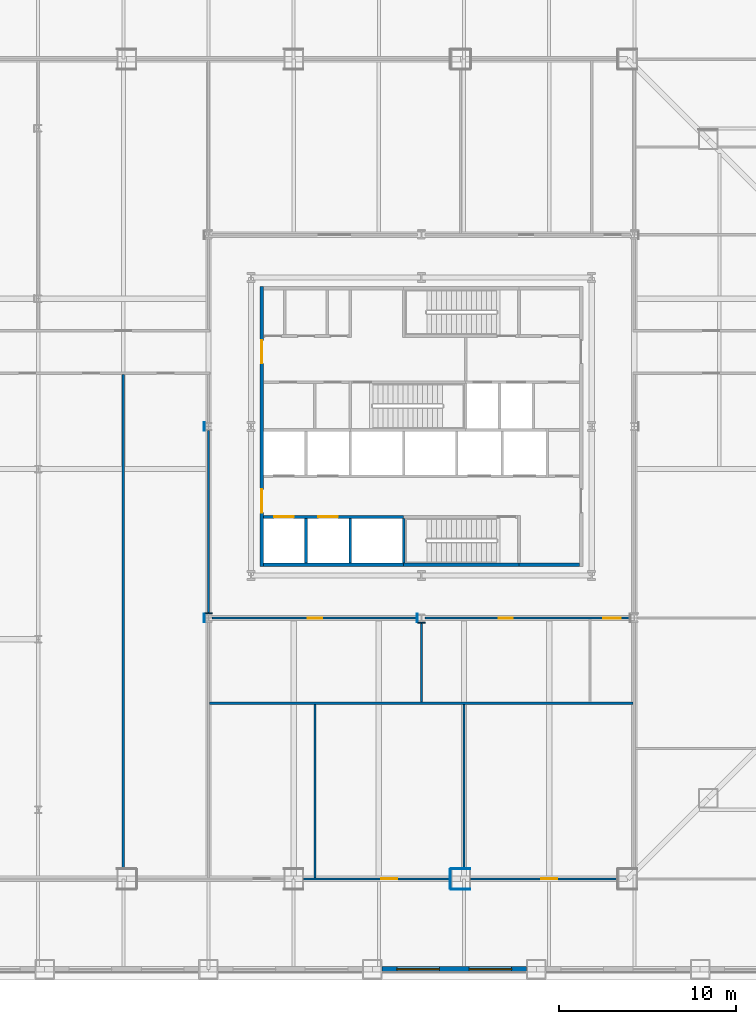
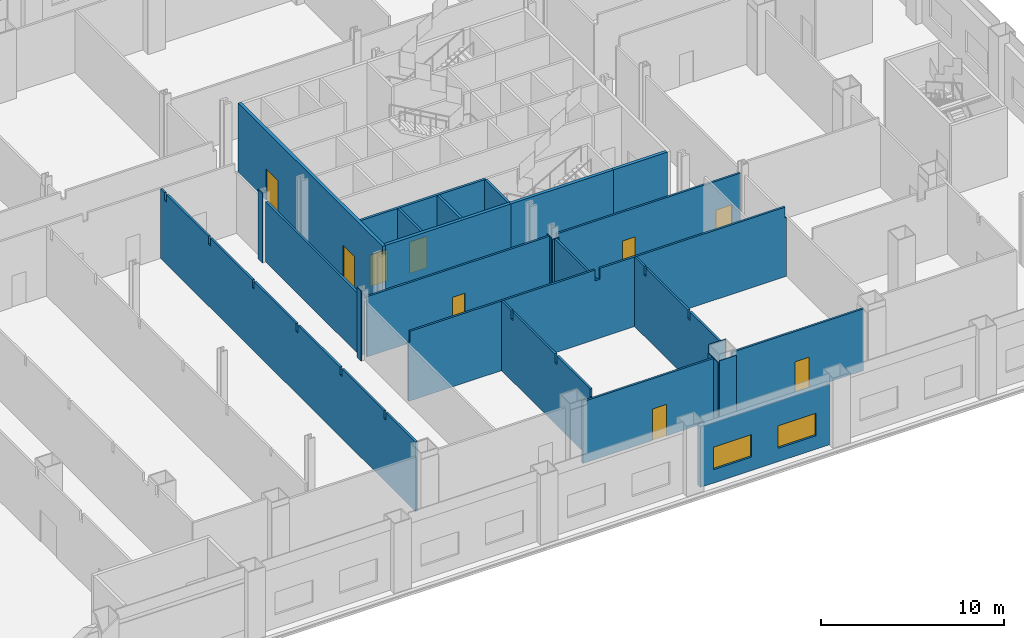
# One storey, part 10 of 22: 27 walls, 9 doors, 2 windows, 11 openings.
"""IFC4 building model written with IfcOpenShell, lengths in metres."""

from ifc_helpers import new_model, si_unit, direction, frame, frame_2d, origin, place, context, subcontext, project, spatial, polyline, rectangle, outline, extrude, material, layer, layer_set, type_object, element, fill, save


model = new_model("IFC4")

# Units and contexts
model_context = context("Model", 3, precision=1e-05, world=origin(), true_north=direction((0.0, 1.0)))
body_context = subcontext(model_context, "Body", "Model", "MODEL_VIEW")
ifc_project = project(units=[si_unit("LENGTHUNIT", "METRE"), si_unit("AREAUNIT", "SQUARE_METRE"), si_unit("VOLUMEUNIT", "CUBIC_METRE"), si_unit("PLANEANGLEUNIT", "RADIAN"), si_unit("MASSUNIT", "GRAM", prefix="KILO")], contexts=[model_context])

# Site, building, storey
site_placement = place(None, origin())
site = spatial("IfcSite", under=ifc_project, at=site_placement, CompositionType="ELEMENT")
building_placement = place(site_placement, origin())
building = spatial("IfcBuilding", under=site, at=building_placement, Name="Cairn Pilgrim Tower", CompositionType="ELEMENT")
storey_placement = place(building_placement, frame((0.0, 0.0, 35.39990234375)))
storey = spatial("IfcBuildingStorey", under=building, at=storey_placement, Name="L06", CompositionType="ELEMENT", Elevation=35.39990234375)

# Walls
ifc_material_1 = material(Name="Concrete C32/40", Category="concrete")
ifc_layer_1 = layer(ifc_material_1, 0.199951171875)
ifc_layer_set_1 = layer_set([ifc_layer_1], Name="CORE OUTER WALL 200 EI 120")
wall_type_1 = type_object("IfcWallType", Name="CORE OUTER WALL 200 EI 120", PredefinedType="SOLIDWALL", material=ifc_layer_set_1)
wall_1_placement = place(storey_placement, frame((-1.699951171875, -5.39990234375, 0.0), z_axis=(0.0, 0.0, 1.0), x_axis=(1.0, 0.0, 0.0)))
element("IfcWall", 1, at=wall_1_placement, inside=storey, type_object=wall_type_1, Name="CW:L06:H01-1", PredefinedType="SOLIDWALL", context=body_context, shape_type="SweptSolid", body=[
    extrude(rectangle(XDim=7.89990234375, YDim=0.199951171875, at=frame_2d((3.949951171875, 0.0))), origin(), (0.0, 0.0, 1.0), 4.650146484375),
])
wall_2_placement = place(storey_placement, frame((12.699951171875, -5.39990234375, 0.0), z_axis=(0.0, 0.0, 1.0), x_axis=(1.0, 0.0, 0.0)))
element("IfcWall", 2, at=wall_2_placement, inside=storey, type_object=wall_type_1, Name="CW:L06:H01-3", PredefinedType="SOLIDWALL", context=body_context, shape_type="SweptSolid", body=[
    extrude(rectangle(XDim=3.400146484375, YDim=0.199951171875, at=frame_2d((1.7001953125, 0.0))), origin(), (0.0, 0.0, 1.0), 4.650146484375),
])

# Wall, openings, doors
wall_3_placement = place(storey_placement, frame((-1.800048828125, -5.5, 0.0), z_axis=(0.0, 0.0, 1.0), x_axis=(0.0, 1.0, 0.0)))
wall_3 = element("IfcWall", 3, at=wall_3_placement, inside=storey, type_object=wall_type_1, Name="CW:L06:V12", PredefinedType="SOLIDWALL", context=body_context, shape_type="SweptSolid", body=[
    extrude(rectangle(XDim=15.800048828125, YDim=0.199951171875, at=frame_2d((7.89990234375, 0.0))), origin(), (0.0, 0.0, 1.0), 4.650146484375),
])
opening_1_placement = place(wall_3_placement, frame((3.050048828125, 0.0, 0.0)))
opening_1 = element("IfcOpeningElement", 4, at=opening_1_placement, cuts=wall_3, Name="Opening CD-W1", PredefinedType="OPENING", context=body_context, shape_type="SweptSolid", body=[
    extrude(rectangle(XDim=1.300048828125, YDim=2.10009765625, at=frame_2d((0.64990234375, 1.050048828125))), frame((0.0, 0.10986328125, 0.0), z_axis=(0.0, -1.0, 0.0), x_axis=(1.0, 0.0, 0.0)), (0.0, 0.0, 1.0), 0.219970703125),
])
opening_2_placement = place(wall_3_placement, frame((11.449951171875, 0.0, 0.0)))
opening_2 = element("IfcOpeningElement", 5, at=opening_2_placement, cuts=wall_3, Name="Opening CD-W2", PredefinedType="OPENING", context=body_context, shape_type="SweptSolid", body=[
    extrude(rectangle(XDim=1.300048828125, YDim=2.10009765625, at=frame_2d((0.64990234375, 1.050048828125))), frame((0.0, 0.10986328125, 0.0), z_axis=(0.0, -1.0, 0.0), x_axis=(1.0, 0.0, 0.0)), (0.0, 0.0, 1.0), 0.219970703125),
])
ifc_material_2 = material(Name="Painted steel", Category="steel")
door_type_1 = type_object("IfcDoorType", Name="CORE LOBBY DOOR 1300x2100", OperationType="DOUBLE_DOOR_SINGLE_SWING", PredefinedType="DOOR", material=ifc_material_2)
door_1_placement = place(opening_1_placement, origin())
door_1 = element("IfcDoor", 6, at=door_1_placement, inside=storey, type_object=door_type_1, Name="CD-W1", OperationType="DOUBLE_DOOR_SINGLE_SWING", OverallHeight=2.10009765625, OverallWidth=1.300048828125, PredefinedType="DOOR", context=body_context, shape_type="SweptSolid", body=[
    extrude(rectangle(XDim=1.300048828125, YDim=2.10009765625, at=frame_2d((0.64990234375, 1.050048828125))), frame((0.0, 0.02490234375, 0.0), z_axis=(0.0, -1.0, 0.0), x_axis=(1.0, 0.0, 0.0)), (0.0, 0.0, 1.0), 0.050048828125),
])
fill(opening_1, door_1)
door_2_placement = place(opening_2_placement, origin())
door_2 = element("IfcDoor", 7, at=door_2_placement, inside=storey, type_object=door_type_1, Name="CD-W2", OperationType="DOUBLE_DOOR_SINGLE_SWING", OverallHeight=2.10009765625, OverallWidth=1.300048828125, PredefinedType="DOOR", context=body_context, shape_type="SweptSolid", body=[
    extrude(rectangle(XDim=1.300048828125, YDim=2.10009765625, at=frame_2d((0.64990234375, 1.050048828125))), frame((0.0, 0.02490234375, 0.0), z_axis=(0.0, -1.0, 0.0), x_axis=(1.0, 0.0, 0.0)), (0.0, 0.0, 1.0), 0.050048828125),
])
fill(opening_2, door_2)

ifc_layer_2 = layer(ifc_material_1, 0.14990234375)
ifc_layer_set_2 = layer_set([ifc_layer_2], Name="CORE SHAFT WALL 150 EI 120")
wall_type_2 = type_object("IfcWallType", Name="CORE SHAFT WALL 150 EI 120", PredefinedType="SOLIDWALL", material=ifc_layer_set_2)
wall_4_placement = place(storey_placement, frame((-1.699951171875, -2.699951171875, 0.0), z_axis=(0.0, 0.0, 1.0), x_axis=(1.0, 0.0, 0.0)))
wall_4 = element("IfcWall", 8, at=wall_4_placement, inside=storey, type_object=wall_type_2, Name="CW:L06:H02-1", PredefinedType="SOLIDWALL", context=body_context, shape_type="SweptSolid", body=[
    extrude(rectangle(XDim=7.89990234375, YDim=0.14990234375, at=frame_2d((3.949951171875, 0.0))), origin(), (0.0, 0.0, 1.0), 4.650146484375),
])
opening_3_placement = place(wall_4_placement, frame((0.60009765625, 0.0, 0.0)))
opening_3 = element("IfcOpeningElement", 9, at=opening_3_placement, cuts=wall_4, Name="Opening LD-LR1", PredefinedType="OPENING", context=body_context, shape_type="SweptSolid", body=[
    extrude(rectangle(XDim=1.10009765625, YDim=2.10009765625, at=frame_2d((0.550048828125, 1.050048828125))), frame((0.0, 0.0849609375, 0.0), z_axis=(0.0, -1.0, 0.0), x_axis=(1.0, 0.0, 0.0)), (0.0, 0.0, 1.0), 0.169921875),
])
opening_4_placement = place(wall_4_placement, frame((3.10009765625, 0.0, 0.0)))
opening_4 = element("IfcOpeningElement", 10, at=opening_4_placement, cuts=wall_4, Name="Opening LD-LR2", PredefinedType="OPENING", context=body_context, shape_type="SweptSolid", body=[
    extrude(rectangle(XDim=1.10009765625, YDim=2.10009765625, at=frame_2d((0.550048828125, 1.050048828125))), frame((0.0, 0.0849609375, 0.0), z_axis=(0.0, -1.0, 0.0), x_axis=(1.0, 0.0, 0.0)), (0.0, 0.0, 1.0), 0.169921875),
])
ifc_material_3 = material(Name="Stainless steel", Category="steel")
door_type_2 = type_object("IfcDoorType", Name="LIFT LANDING DOOR 1100x2100", OperationType="DOUBLE_DOOR_SLIDING", PredefinedType="DOOR", material=ifc_material_3)
door_3_placement = place(opening_3_placement, origin())
door_3 = element("IfcDoor", 11, at=door_3_placement, inside=storey, type_object=door_type_2, Name="LANDING DOOR LR1", OperationType="DOUBLE_DOOR_SLIDING", OverallHeight=2.10009765625, OverallWidth=1.10009765625, PredefinedType="DOOR", context=body_context, shape_type="SweptSolid", body=[
    extrude(rectangle(XDim=1.10009765625, YDim=2.10009765625, at=frame_2d((0.550048828125, 1.050048828125))), frame((0.0, 0.02490234375, 0.0), z_axis=(0.0, -1.0, 0.0), x_axis=(1.0, 0.0, 0.0)), (0.0, 0.0, 1.0), 0.050048828125),
])
fill(opening_3, door_3)
door_4_placement = place(opening_4_placement, origin())
door_4 = element("IfcDoor", 12, at=door_4_placement, inside=storey, type_object=door_type_2, Name="LANDING DOOR LR2", OperationType="DOUBLE_DOOR_SLIDING", OverallHeight=2.10009765625, OverallWidth=1.10009765625, PredefinedType="DOOR", context=body_context, shape_type="SweptSolid", body=[
    extrude(rectangle(XDim=1.10009765625, YDim=2.10009765625, at=frame_2d((0.550048828125, 1.050048828125))), frame((0.0, 0.02490234375, 0.0), z_axis=(0.0, -1.0, 0.0), x_axis=(1.0, 0.0, 0.0)), (0.0, 0.0, 1.0), 0.050048828125),
])
fill(opening_4, door_4)

# Walls
for number, where, z_axis, x_axis, name in (
    (13, (0.699951171875, -5.300048828125, 0.0), (0.0, 0.0, 1.0), (0.0, 1.0, 0.0), "CW:L06:V14"),
    (14, (3.199951171875, -5.300048828125, 0.0), (0.0, 0.0, 1.0), (0.0, 1.0, 0.0), "CW:L06:V18"),
):
    element("IfcWall", number, at=place(storey_placement, frame(where, z_axis=z_axis, x_axis=x_axis)), inside=storey, type_object=wall_type_2, Name=name, PredefinedType="SOLIDWALL", context=body_context, shape_type="SweptSolid", body=[
        extrude(rectangle(XDim=2.525146484375, YDim=0.14990234375, at=frame_2d((1.2626953125, 0.0))), origin(), (0.0, 0.0, 1.0), 4.650146484375),
    ])

# Wall, opening, door
ifc_material_4 = material(Name="Gypsum partition")
ifc_layer_3 = layer(ifc_material_4, 0.125)
ifc_layer_set_3 = layer_set([ifc_layer_3], Name="PARTITION 125 DRYWALL EI 60")
wall_type_3 = type_object("IfcWallType", Name="PARTITION 125 DRYWALL EI 60", PredefinedType="PARTITIONING", material=ifc_layer_set_3)
wall_5_placement = place(storey_placement, frame((0.550048828125, -23.10009765625, 0.0), z_axis=(0.0, 0.0, 1.0), x_axis=(1.0, 0.0, 0.0)))
wall_5 = element("IfcWall", 15, at=wall_5_placement, inside=storey, type_object=wall_type_3, Name="PARTITION W011", PredefinedType="PARTITIONING", context=body_context, shape_type="SweptSolid", body=[
    extrude(rectangle(XDim=8.3134765625, YDim=0.125, at=frame_2d((4.15673828125, 0.0))), origin(), (0.0, 0.0, 1.0), 4.130126953125),
])
opening_5_placement = place(wall_5_placement, frame((4.39990234375, 0.0, 0.0)))
opening_5 = element("IfcOpeningElement", 16, at=opening_5_placement, cuts=wall_5, Name="Opening 0615", PredefinedType="OPENING", context=body_context, shape_type="SweptSolid", body=[
    extrude(rectangle(XDim=0.89990234375, YDim=2.10009765625, at=frame_2d((0.449951171875, 1.050048828125))), frame((0.0, 0.072509765625, 0.0), z_axis=(0.0, -1.0, 0.0), x_axis=(1.0, 0.0, 0.0)), (0.0, 0.0, 1.0), 0.14501953125),
])
ifc_material_5 = material(Name="Timber door leaf", Category="wood")
door_type_3 = type_object("IfcDoorType", Name="SERVICE DOOR 900x2100 FD30S", OperationType="NOTDEFINED", PredefinedType="DOOR", material=ifc_material_5)
door_5_placement = place(opening_5_placement, frame((0.89990234375, 0.0, 0.0), z_axis=(0.0, 0.0, 1.0), x_axis=(-1.0, 0.0, 0.0)))
door_5 = element("IfcDoor", 17, at=door_5_placement, inside=storey, type_object=door_type_3, Name="DOOR 0615", OperationType="SINGLE_SWING_RIGHT", OverallHeight=2.10009765625, OverallWidth=0.89990234375, PredefinedType="DOOR", context=body_context, shape_type="SweptSolid", body=[
    extrude(rectangle(XDim=0.89990234375, YDim=2.10009765625, at=frame_2d((0.449951171875, 1.050048828125))), frame((0.0, 0.02490234375, 0.0), z_axis=(0.0, -1.0, 0.0), x_axis=(1.0, 0.0, 0.0)), (0.0, 0.0, 1.0), 0.050048828125),
])
fill(opening_5, door_5)

wall_6_placement = place(storey_placement, frame((9.963623046875, -23.10009765625, 0.0), z_axis=(0.0, 0.0, 1.0), x_axis=(1.0, 0.0, 0.0)))
wall_6 = element("IfcWall", 18, at=wall_6_placement, inside=storey, type_object=wall_type_3, Name="PARTITION W012", PredefinedType="PARTITIONING", context=body_context, shape_type="SweptSolid", body=[
    extrude(rectangle(XDim=8.3134765625, YDim=0.125, at=frame_2d((4.15673828125, 0.0))), origin(), (0.0, 0.0, 1.0), 4.130126953125),
])
opening_6_placement = place(wall_6_placement, frame((3.986328125, 0.0, 0.0)))
opening_6 = element("IfcOpeningElement", 19, at=opening_6_placement, cuts=wall_6, Name="Opening 0616", PredefinedType="OPENING", context=body_context, shape_type="SweptSolid", body=[
    extrude(rectangle(XDim=0.89990234375, YDim=2.10009765625, at=frame_2d((0.449951171875, 1.050048828125))), frame((0.0, 0.072509765625, 0.0), z_axis=(0.0, -1.0, 0.0), x_axis=(1.0, 0.0, 0.0)), (0.0, 0.0, 1.0), 0.14501953125),
])
door_type_4 = type_object("IfcDoorType", Name="ROOM DOOR 900x2100 FD30S", OperationType="NOTDEFINED", PredefinedType="DOOR", material=ifc_material_5)
door_6_placement = place(opening_6_placement, frame((0.89990234375, 0.0, 0.0), z_axis=(0.0, 0.0, 1.0), x_axis=(-1.0, 0.0, 0.0)))
door_6 = element("IfcDoor", 20, at=door_6_placement, inside=storey, type_object=door_type_4, Name="DOOR 0616", OperationType="SINGLE_SWING_RIGHT", OverallHeight=2.10009765625, OverallWidth=0.89990234375, PredefinedType="DOOR", context=body_context, shape_type="SweptSolid", body=[
    extrude(rectangle(XDim=0.89990234375, YDim=2.10009765625, at=frame_2d((0.449951171875, 1.050048828125))), frame((0.0, 0.02490234375, 0.0), z_axis=(0.0, -1.0, 0.0), x_axis=(1.0, 0.0, 0.0)), (0.0, 0.0, 1.0), 0.050048828125),
])
fill(opening_6, door_6)

# Walls
wall_7_placement = place(storey_placement, frame((1.199951171875, -23.03759765625, 0.0), z_axis=(0.0, 0.0, 1.0), x_axis=(0.0, 1.0, 0.0)))
element("IfcWall", 21, at=wall_7_placement, inside=storey, type_object=wall_type_3, Name="PARTITION W017", PredefinedType="PARTITIONING", context=body_context, shape_type="SweptSolid", body=[
    extrude(outline(polyline([(0.0, 0.0), (9.775146484375, 0.0), (9.77490234375, 4.650146484375), (8.742431640625, 4.650146484375), (8.740478515625, 4.080078125), (8.532470703125, 4.080078125), (8.530517578125, 4.650146484375), (3.9423828125, 4.650146484375), (3.9404296875, 4.080078125), (3.732421875, 4.080078125), (3.73046875, 4.650146484375), (0.08740234375, 4.650146484375), (0.08544921875, 4.130126953125), (0.0, 4.130126953125), (0.0, 0.0)])), frame((0.0, 0.0625, 0.0), z_axis=(0.0, -1.0, 0.0), x_axis=(1.0, 0.0, 0.0)), (0.0, 0.0, 1.0), 0.125),
])
wall_8_placement = place(storey_placement, frame((-9.60009765625, -22.550048828125, 0.0), z_axis=(0.0, 0.0, 1.0), x_axis=(0.0, 1.0, 0.0)))
element("IfcWall", 22, at=wall_8_placement, inside=storey, type_object=wall_type_3, Name="PARTITION W019", PredefinedType="PARTITIONING", context=body_context, shape_type="SweptSolid", body=[
    extrude(outline(polyline([(0.0, 0.0), (27.887451171875, 0.0), (27.887451171875, 4.650146484375), (27.449951171875, 4.650146484375), (27.447998046875, 4.130126953125), (27.25, 4.130126953125), (27.248046875, 4.650146484375), (22.64990234375, 4.650146484375), (22.64794921875, 4.130126953125), (22.449951171875, 4.130126953125), (22.447998046875, 4.650146484375), (17.85009765625, 4.650146484375), (17.847900390625, 4.130126953125), (17.64990234375, 4.130126953125), (17.64794921875, 4.650146484375), (13.050048828125, 4.650146484375), (13.048095703125, 4.130126953125), (12.85009765625, 4.130126953125), (12.847900390625, 4.650146484375), (8.25, 4.650146484375), (8.248046875, 4.130126953125), (8.050048828125, 4.130126953125), (8.048095703125, 4.650146484375), (3.449951171875, 4.650146484375), (3.447998046875, 4.130126953125), (3.25, 4.130126953125), (3.248046875, 4.650146484375), (0.0, 4.650146484375), (0.0, 0.0)])), frame((0.0, 0.0625, 0.0), z_axis=(0.0, -1.0, 0.0), x_axis=(1.0, 0.0, 0.0)), (0.0, 0.0, 1.0), 0.125),
])
wall_9_placement = place(storey_placement, frame((9.60009765625, -22.550048828125, 0.0), z_axis=(0.0, 0.0, 1.0), x_axis=(0.0, 1.0, 0.0)))
element("IfcWall", 23, at=wall_9_placement, inside=storey, type_object=wall_type_3, Name="PARTITION W020", PredefinedType="PARTITIONING", context=body_context, shape_type="SweptSolid", body=[
    extrude(outline(polyline([(0.0, 0.0), (9.28759765625, 0.0), (9.28759765625, 4.650146484375), (8.2548828125, 4.650146484375), (8.2529296875, 4.080078125), (8.044921875, 4.080078125), (8.04296875, 4.650146484375), (3.455078125, 4.650146484375), (3.452880859375, 4.080078125), (3.2451171875, 4.080078125), (3.242919921875, 4.650146484375), (0.0, 4.650146484375), (0.0, 0.0)])), frame((0.0, 0.0625, 0.0), z_axis=(0.0, -1.0, 0.0), x_axis=(1.0, 0.0, 0.0)), (0.0, 0.0, 1.0), 0.125),
])
wall_10_placement = place(storey_placement, frame((-4.737548828125, -13.199951171875, 0.0), z_axis=(0.0, 0.0, 1.0), x_axis=(1.0, 0.0, 0.0)))
element("IfcWall", 24, at=wall_10_placement, inside=storey, type_object=wall_type_3, Name="PARTITION W025", PredefinedType="PARTITIONING", context=body_context, shape_type="SweptSolid", body=[
    extrude(outline(polyline([(0.0, 0.0), (23.875, 0.0), (23.875, 3.93017578125), (23.78759765625, 3.93017578125), (23.785400390625, 4.650146484375), (12.08740234375, 4.650146484375), (12.08544921875, 3.93017578125), (11.78759765625, 3.93017578125), (11.785400390625, 4.650146484375), (0.08740234375, 4.650146484375), (0.08544921875, 3.93017578125), (0.0, 3.93017578125), (0.0, 0.0)])), frame((0.0, 0.0625, 0.0), z_axis=(0.0, -1.0, 0.0), x_axis=(1.0, 0.0, 0.0)), (0.0, 0.0, 1.0), 0.125),
])
wall_11_placement = place(storey_placement, frame((7.199951171875, -13.137451171875, 0.0), z_axis=(0.0, 0.0, 1.0), x_axis=(0.0, 1.0, 0.0)))
element("IfcWall", 25, at=wall_11_placement, inside=storey, type_object=wall_type_3, Name="PARTITION W026", PredefinedType="PARTITIONING", context=body_context, shape_type="SweptSolid", body=[
    extrude(rectangle(XDim=4.50048828125, YDim=0.125, at=frame_2d((2.250244140625, 0.0))), origin(), (0.0, 0.0, 1.0), 3.93017578125),
])

# Wall, opening, door
wall_12_placement = place(storey_placement, frame((-4.587890625, -8.39990234375, 0.0), z_axis=(0.0, 0.0, 1.0), x_axis=(1.0, 0.0, 0.0)))
wall_12 = element("IfcWall", 26, at=wall_12_placement, inside=storey, type_object=wall_type_3, Name="PARTITION W031", PredefinedType="PARTITIONING", context=body_context, shape_type="SweptSolid", body=[
    extrude(rectangle(XDim=11.575927734375, YDim=0.125, at=frame_2d((5.7880859375, 0.0))), origin(), (0.0, 0.0, 1.0), 4.030029296875),
])
opening_7_placement = place(wall_12_placement, frame((5.387939453125, 0.0, 0.0)))
opening_7 = element("IfcOpeningElement", 27, at=opening_7_placement, cuts=wall_12, Name="Opening 0611", PredefinedType="OPENING", context=body_context, shape_type="SweptSolid", body=[
    extrude(rectangle(XDim=0.800048828125, YDim=2.10009765625, at=frame_2d((0.39990234375, 1.050048828125))), frame((0.0, 0.072509765625, 0.0), z_axis=(0.0, -1.0, 0.0), x_axis=(1.0, 0.0, 0.0)), (0.0, 0.0, 1.0), 0.14501953125),
])
door_type_5 = type_object("IfcDoorType", Name="WC DOOR 800x2100 FD30S", OperationType="NOTDEFINED", PredefinedType="DOOR", material=ifc_material_5)
door_7_placement = place(opening_7_placement, origin())
door_7 = element("IfcDoor", 28, at=door_7_placement, inside=storey, type_object=door_type_5, Name="DOOR 0611", OperationType="SINGLE_SWING_RIGHT", OverallHeight=2.10009765625, OverallWidth=0.800048828125, PredefinedType="DOOR", context=body_context, shape_type="SweptSolid", body=[
    extrude(rectangle(XDim=0.800048828125, YDim=2.10009765625, at=frame_2d((0.39990234375, 1.050048828125))), frame((0.0, 0.02490234375, 0.0), z_axis=(0.0, -1.0, 0.0), x_axis=(1.0, 0.0, 0.0)), (0.0, 0.0, 1.0), 0.050048828125),
])
fill(opening_7, door_7)

# Wall, openings, doors
wall_13_placement = place(storey_placement, frame((7.412109375, -8.39990234375, 0.0), z_axis=(0.0, 0.0, 1.0), x_axis=(1.0, 0.0, 0.0)))
wall_13 = element("IfcWall", 29, at=wall_13_placement, inside=storey, type_object=wall_type_3, Name="PARTITION W032", PredefinedType="PARTITIONING", context=body_context, shape_type="SweptSolid", body=[
    extrude(rectangle(XDim=11.575927734375, YDim=0.125, at=frame_2d((5.7880859375, 0.0))), origin(), (0.0, 0.0, 1.0), 4.030029296875),
])
opening_8_placement = place(wall_13_placement, frame((4.137939453125, 0.0, 0.0)))
opening_8 = element("IfcOpeningElement", 30, at=opening_8_placement, cuts=wall_13, Name="Opening 0612", PredefinedType="OPENING", context=body_context, shape_type="SweptSolid", body=[
    extrude(rectangle(XDim=0.800048828125, YDim=2.10009765625, at=frame_2d((0.39990234375, 1.050048828125))), frame((0.0, 0.072509765625, 0.0), z_axis=(0.0, -1.0, 0.0), x_axis=(1.0, 0.0, 0.0)), (0.0, 0.0, 1.0), 0.14501953125),
])
opening_9_placement = place(wall_13_placement, frame((10.0380859375, 0.0, 0.0)))
opening_9 = element("IfcOpeningElement", 31, at=opening_9_placement, cuts=wall_13, Name="Opening 0613", PredefinedType="OPENING", context=body_context, shape_type="SweptSolid", body=[
    extrude(rectangle(XDim=1.0, YDim=2.10009765625, at=frame_2d((0.5, 1.050048828125))), frame((0.0, 0.072509765625, 0.0), z_axis=(0.0, -1.0, 0.0), x_axis=(1.0, 0.0, 0.0)), (0.0, 0.0, 1.0), 0.14501953125),
])
door_type_6 = type_object("IfcDoorType", Name="ACCESSIBLE DOOR 1000x2100 FD30S", OperationType="NOTDEFINED", PredefinedType="DOOR", material=ifc_material_5)
door_8_placement = place(opening_9_placement, origin())
door_8 = element("IfcDoor", 32, at=door_8_placement, inside=storey, type_object=door_type_6, Name="DOOR 0613", OperationType="SINGLE_SWING_LEFT", OverallHeight=2.10009765625, OverallWidth=1.0, PredefinedType="DOOR", context=body_context, shape_type="SweptSolid", body=[
    extrude(rectangle(XDim=1.0, YDim=2.10009765625, at=frame_2d((0.5, 1.050048828125))), frame((0.0, 0.02490234375, 0.0), z_axis=(0.0, -1.0, 0.0), x_axis=(1.0, 0.0, 0.0)), (0.0, 0.0, 1.0), 0.050048828125),
])
fill(opening_9, door_8)
door_9_placement = place(opening_8_placement, origin())
door_9 = element("IfcDoor", 33, at=door_9_placement, inside=storey, type_object=door_type_5, Name="DOOR 0612", OperationType="SINGLE_SWING_LEFT", OverallHeight=2.10009765625, OverallWidth=0.800048828125, PredefinedType="DOOR", context=body_context, shape_type="SweptSolid", body=[
    extrude(rectangle(XDim=0.800048828125, YDim=2.10009765625, at=frame_2d((0.39990234375, 1.050048828125))), frame((0.0, 0.02490234375, 0.0), z_axis=(0.0, -1.0, 0.0), x_axis=(1.0, 0.0, 0.0)), (0.0, 0.0, 1.0), 0.050048828125),
])
fill(opening_8, door_9)

# Walls
wall_14_placement = place(storey_placement, frame((-4.800048828125, -8.1630859375, 0.0), z_axis=(0.0, 0.0, 1.0), x_axis=(0.0, 1.0, 0.0)))
element("IfcWall", 34, at=wall_14_placement, inside=storey, type_object=wall_type_3, Name="PARTITION W034", PredefinedType="PARTITIONING", context=body_context, shape_type="SweptSolid", body=[
    extrude(rectangle(XDim=10.326171875, YDim=0.125, at=frame_2d((5.1630859375, 0.0))), origin(), (0.0, 0.0, 1.0), 4.030029296875),
])
ifc_layer_4 = layer(ifc_material_4, 0.050048828125)
ifc_layer_set_4 = layer_set([ifc_layer_4], Name="PARTITION 50 DRYWALL EI 60")
wall_type_4 = type_object("IfcWallType", Name="PARTITION 50 DRYWALL EI 60", PredefinedType="PARTITIONING", material=ifc_layer_set_4)
wall_15_placement = place(storey_placement, frame((8.863525390625, -22.52490234375, 0.0), z_axis=(0.0, 0.0, 1.0), x_axis=(1.0, 0.0, 0.0)))
element("IfcWall", 35, at=wall_15_placement, inside=storey, type_object=wall_type_4, Name="COLUMN CASING WC07", PredefinedType="PARTITIONING", context=body_context, shape_type="SweptSolid", body=[
    extrude(rectangle(XDim=1.10009765625, YDim=0.050048828125, at=frame_2d((0.550048828125, 0.0))), origin(), (0.0, 0.0, 1.0), 4.650146484375),
])
wall_16_placement = place(storey_placement, frame((8.863525390625, -23.675048828125, 0.0), z_axis=(0.0, 0.0, 1.0), x_axis=(1.0, 0.0, 0.0)))
element("IfcWall", 36, at=wall_16_placement, inside=storey, type_object=wall_type_4, Name="COLUMN CASING WC08", PredefinedType="PARTITIONING", context=body_context, shape_type="SweptSolid", body=[
    extrude(rectangle(XDim=1.10009765625, YDim=0.050048828125, at=frame_2d((0.550048828125, 0.0))), origin(), (0.0, 0.0, 1.0), 4.27001953125),
])
wall_17_placement = place(storey_placement, frame((-5.037109375, -8.636962890625, 0.0), z_axis=(0.0, 0.0, 1.0), x_axis=(0.0, 1.0, 0.0)))
element("IfcWall", 37, at=wall_17_placement, inside=storey, type_object=wall_type_4, Name="COLUMN CASING WC12", PredefinedType="PARTITIONING", context=body_context, shape_type="SweptSolid", body=[
    extrude(rectangle(XDim=0.473876953125, YDim=0.050048828125, at=frame_2d((0.23681640625, 0.0))), origin(), (0.0, 0.0, 1.0), 4.650146484375),
])
wall_18_placement = place(storey_placement, frame((8.838623046875, -23.64990234375, 0.0), z_axis=(0.0, 0.0, 1.0), x_axis=(0.0, 1.0, 0.0)))
element("IfcWall", 38, at=wall_18_placement, inside=storey, type_object=wall_type_4, Name="COLUMN CASING WC13", PredefinedType="PARTITIONING", context=body_context, shape_type="SweptSolid", body=[
    extrude(rectangle(XDim=1.099853515625, YDim=0.050048828125, at=frame_2d((0.5498046875, 0.0))), origin(), (0.0, 0.0, 1.0), 4.130126953125),
])
wall_19_placement = place(storey_placement, frame((6.962890625, -8.636962890625, 0.0), z_axis=(0.0, 0.0, 1.0), x_axis=(0.0, 1.0, 0.0)))
element("IfcWall", 39, at=wall_19_placement, inside=storey, type_object=wall_type_4, Name="COLUMN CASING WC22", PredefinedType="PARTITIONING", context=body_context, shape_type="SweptSolid", body=[
    extrude(rectangle(XDim=0.473876953125, YDim=0.050048828125, at=frame_2d((0.23681640625, 0.0))), origin(), (0.0, 0.0, 1.0), 4.030029296875),
])
wall_20_placement = place(storey_placement, frame((-5.037109375, 2.1630859375, 0.0), z_axis=(0.0, 0.0, 1.0), x_axis=(0.0, 1.0, 0.0)))
element("IfcWall", 40, at=wall_20_placement, inside=storey, type_object=wall_type_4, Name="COLUMN CASING WC23", PredefinedType="PARTITIONING", context=body_context, shape_type="SweptSolid", body=[
    extrude(rectangle(XDim=0.473876953125, YDim=0.050048828125, at=frame_2d((0.23681640625, 0.0))), origin(), (0.0, 0.0, 1.0), 4.650146484375),
])
wall_21_placement = place(storey_placement, frame((-5.011962890625, -8.137939453125, 0.0), z_axis=(0.0, 0.0, 1.0), x_axis=(1.0, 0.0, 0.0)))
element("IfcWall", 41, at=wall_21_placement, inside=storey, type_object=wall_type_4, Name="COLUMN CASING WC24", PredefinedType="PARTITIONING", context=body_context, shape_type="SweptSolid", body=[
    extrude(rectangle(XDim=0.424072265625, YDim=0.050048828125, at=frame_2d((0.2119140625, 0.0))), origin(), (0.0, 0.0, 1.0), 4.030029296875),
])
wall_22_placement = place(storey_placement, frame((6.988037109375, -8.662109375, 0.0), z_axis=(0.0, 0.0, 1.0), x_axis=(1.0, 0.0, 0.0)))
element("IfcWall", 42, at=wall_22_placement, inside=storey, type_object=wall_type_4, Name="COLUMN CASING WC25", PredefinedType="PARTITIONING", context=body_context, shape_type="SweptSolid", body=[
    extrude(rectangle(XDim=0.424072265625, YDim=0.050048828125, at=frame_2d((0.2119140625, 0.0))), origin(), (0.0, 0.0, 1.0), 3.93017578125),
])

# Wall, openings, windows
ifc_material_6 = material(Name="Concrete C35/45 backup wall with bronze aluminium cladding", Category="concrete")
ifc_layer_5 = layer(ifc_material_6, 0.300048828125)
ifc_layer_set_5 = layer_set([ifc_layer_5], Name="PODIUM WALL 300 BRONZE-CLAD")
wall_type_5 = type_object("IfcWallType", Name="PODIUM WALL 300 BRONZE-CLAD", PredefinedType="SOLIDWALL", material=ifc_layer_set_5)
wall_23_placement = place(storey_placement, frame((4.98779296875, -28.199951171875, 0.0), z_axis=(0.0, 0.0, 1.0), x_axis=(1.0, 0.0, 0.0)))
wall_23 = element("IfcWall", 43, at=wall_23_placement, inside=storey, type_object=wall_type_5, Name="PODIUM EXTERNAL WALL S6-S7", PredefinedType="SOLIDWALL", context=body_context, shape_type="SweptSolid", body=[
    extrude(rectangle(XDim=8.137939453125, YDim=0.300048828125, at=frame_2d((4.06884765625, 0.0))), origin(), (0.0, 0.0, 1.0), 4.050048828125),
])
opening_10_placement = place(wall_23_placement, frame((0.83447265625, 0.0, 0.89990234375)))
opening_10 = element("IfcOpeningElement", 44, at=opening_10_placement, cuts=wall_23, Name="Opening PW15", PredefinedType="OPENING", context=body_context, shape_type="SweptSolid", body=[
    extrude(rectangle(XDim=2.39990234375, YDim=1.5, at=frame_2d((1.199951171875, 0.75))), frame((0.0, 0.16015625, 0.0), z_axis=(0.0, -1.0, 0.0), x_axis=(1.0, 0.0, 0.0)), (0.0, 0.0, 1.0), 0.320068359375),
])
opening_11_placement = place(wall_23_placement, frame((4.9033203125, 0.0, 0.89990234375)))
opening_11 = element("IfcOpeningElement", 45, at=opening_11_placement, cuts=wall_23, Name="Opening PW15", PredefinedType="OPENING", context=body_context, shape_type="SweptSolid", body=[
    extrude(rectangle(XDim=2.39990234375, YDim=1.5, at=frame_2d((1.199951171875, 0.75))), frame((0.0, 0.16015625, 0.0), z_axis=(0.0, -1.0, 0.0), x_axis=(1.0, 0.0, 0.0)), (0.0, 0.0, 1.0), 0.320068359375),
])
ifc_material_7 = material(Name="Bronze anodised aluminium frame with tinted low-E glass", Category="aluminium")
window_type = type_object("IfcWindowType", Name="PODIUM FIXED WINDOW 2400x1500", PartitioningType="SINGLE_PANEL", PredefinedType="WINDOW", material=ifc_material_7)
window_1_placement = place(opening_10_placement, origin())
window_1 = element("IfcWindow", 46, at=window_1_placement, inside=storey, type_object=window_type, Name="PODIUM WINDOW", OverallHeight=1.5, OverallWidth=2.39990234375, PartitioningType="SINGLE_PANEL", PredefinedType="WINDOW", context=body_context, shape_type="SweptSolid", body=[
    extrude(rectangle(XDim=2.39990234375, YDim=1.5, at=frame_2d((1.199951171875, 0.75))), frame((0.0, 0.030029296875, 0.0), z_axis=(0.0, -1.0, 0.0), x_axis=(1.0, 0.0, 0.0)), (0.0, 0.0, 1.0), 0.06005859375),
])
fill(opening_10, window_1)
window_2_placement = place(opening_11_placement, origin())
window_2 = element("IfcWindow", 47, at=window_2_placement, inside=storey, type_object=window_type, Name="PODIUM WINDOW", OverallHeight=1.5, OverallWidth=2.39990234375, PartitioningType="SINGLE_PANEL", PredefinedType="WINDOW", context=body_context, shape_type="SweptSolid", body=[
    extrude(rectangle(XDim=2.39990234375, YDim=1.5, at=frame_2d((1.199951171875, 0.75))), frame((0.0, 0.030029296875, 0.0), z_axis=(0.0, -1.0, 0.0), x_axis=(1.0, 0.0, 0.0)), (0.0, 0.0, 1.0), 0.06005859375),
])
fill(opening_11, window_2)

# Walls
ifc_material_8 = material(Name="Concrete C35/45", Category="concrete")
ifc_layer_6 = layer(ifc_material_8, 0.14990234375)
ifc_layer_set_6 = layer_set([ifc_layer_6], Name="STAIR SHAFT WALL 150 EI 120")
wall_type_6 = type_object("IfcWallType", Name="STAIR SHAFT WALL 150 EI 120", PredefinedType="SOLIDWALL", material=ifc_layer_set_6)
wall_24_placement = place(storey_placement, frame((6.199951171875, -5.300048828125, 0.0), z_axis=(0.0, 0.0, 1.0), x_axis=(0.0, 1.0, 0.0)))
element("IfcWall", 48, at=wall_24_placement, inside=storey, type_object=wall_type_6, Name="CW:L06:V22", PredefinedType="SOLIDWALL", context=body_context, shape_type="SweptSolid", body=[
    extrude(rectangle(XDim=2.525146484375, YDim=0.14990234375, at=frame_2d((1.2626953125, 0.0))), origin(), (0.0, 0.0, 1.0), 4.650146484375),
])
ifc_layer_7 = layer(ifc_material_8, 0.199951171875)
ifc_layer_set_7 = layer_set([ifc_layer_7], Name="STAIR SHAFT WALL 200 EI 120")
wall_type_7 = type_object("IfcWallType", Name="STAIR SHAFT WALL 200 EI 120", PredefinedType="SOLIDWALL", material=ifc_layer_set_7)
wall_25_placement = place(storey_placement, frame((6.199951171875, -5.39990234375, 0.0), z_axis=(0.0, 0.0, 1.0), x_axis=(1.0, 0.0, 0.0)))
element("IfcWall", 49, at=wall_25_placement, inside=storey, type_object=wall_type_7, Name="CW:L06:H01-2", PredefinedType="SOLIDWALL", context=body_context, shape_type="SweptSolid", body=[
    extrude(rectangle(XDim=6.5, YDim=0.199951171875, at=frame_2d((3.25, 0.0))), origin(), (0.0, 0.0, 1.0), 4.650146484375),
])

save(model, "model.ifc")
